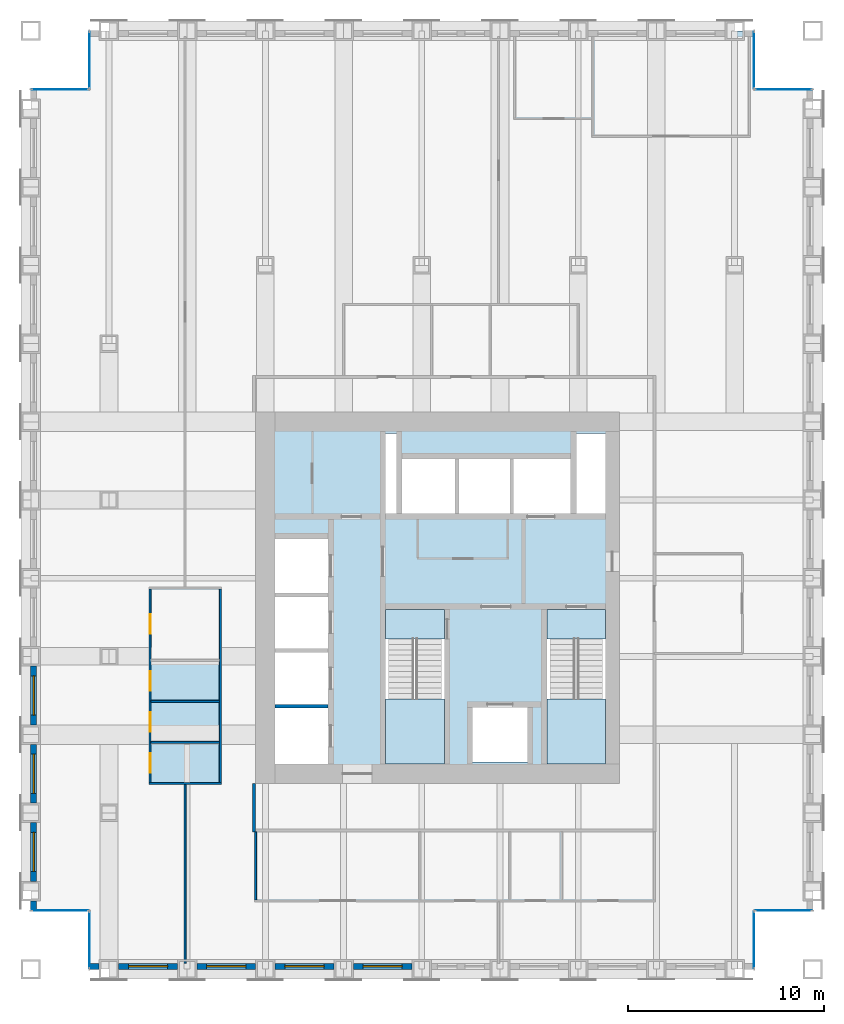
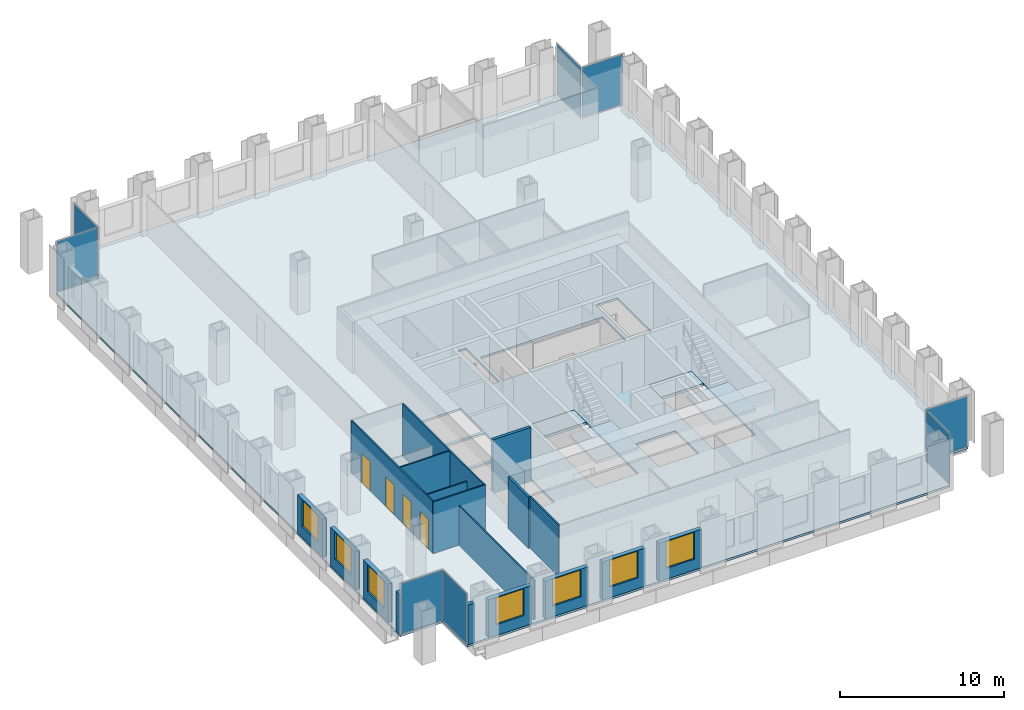
# One storey, part 8 of 13: 18 walls, 8 plates, 7 windows, 5 slabs, 4 doors, 11 openings, 10 elements without a shape of their own.
"""IFC4 building model written with IfcOpenShell, lengths in metres."""

from ifc_helpers import new_model, si_unit, direction, frame, frame_2d, origin, origin_2d, place, context, subcontext, project, spatial, polyline, rectangle, outline, extrude, material, layer, layer_set, type_object, element, fill, aggregate, save


model = new_model("IFC4")

# Units and contexts
model_context = context("Model", 3, precision=1e-05, world=origin(), true_north=direction((0.0, 1.0)))
body_context = subcontext(model_context, "Body", "Model", "MODEL_VIEW")
ifc_project = project(units=[si_unit("LENGTHUNIT", "METRE"), si_unit("AREAUNIT", "SQUARE_METRE"), si_unit("VOLUMEUNIT", "CUBIC_METRE"), si_unit("PLANEANGLEUNIT", "RADIAN"), si_unit("MASSUNIT", "GRAM", prefix="KILO")], contexts=[model_context])

# Site, building, storey
site_placement = place(None, origin())
site = spatial("IfcSite", under=ifc_project, at=site_placement, CompositionType="ELEMENT")
building_placement = place(site_placement, origin())
building = spatial("IfcBuilding", under=site, at=building_placement, Name="Rimbunsela Tower", CompositionType="ELEMENT")
storey_placement = place(building_placement, frame((0.0, 0.0, 191.800048828125)))
storey = spatial("IfcBuildingStorey", under=building, at=storey_placement, Name="L46", CompositionType="ELEMENT", Elevation=191.800048828125)

# Slab
ifc_material_1 = material(Name="Concrete fc' 35 MPa", Category="concrete")
ifc_layer_1 = layer(ifc_material_1, 0.14990234375)
ifc_layer_set_1 = layer_set([ifc_layer_1], Name="Floor slab 150")
slab_type_1 = type_object("IfcSlabType", Name="Floor slab 150", PredefinedType="FLOOR", material=ifc_layer_set_1)
slab_1_placement = place(storey_placement, frame((0.0, 0.0, -0.150146484375)))
element("IfcSlab", 1, at=slab_1_placement, inside=storey, type_object=slab_type_1, Name="Floor slab L46", PredefinedType="FLOOR", context=body_context, shape_type="SweptSolid", body=[
    extrude(outline(polyline([(9.0, 8.0), (43.0, 8.0), (43.0, 11.0), (46.0, 11.0), (46.0, 53.0), (43.0, 53.0), (43.0, 56.0), (9.0, 56.0), (9.0, 53.0), (6.0, 53.0), (6.0, 11.0), (9.0, 11.0), (9.0, 8.0)]), holes=[polyline([(21.199951171875, 21.35009765625), (18.5, 21.35009765625), (18.5, 18.5), (21.199951171875, 18.5), (21.199951171875, 21.35009765625)]), polyline([(21.199951171875, 21.550048828125), (21.199951171875, 24.199951171875), (18.5, 24.199951171875), (18.5, 21.550048828125), (21.199951171875, 21.550048828125)]), polyline([(21.199951171875, 27.050048828125), (18.5, 27.050048828125), (18.5, 24.39990234375), (21.199951171875, 24.39990234375), (21.199951171875, 27.050048828125)]), polyline([(21.199951171875, 27.25), (21.199951171875, 30.0), (18.5, 30.0), (18.5, 27.25), (21.199951171875, 27.25)]), polyline([(27.14990234375, 18.60009765625), (27.14990234375, 26.39990234375), (24.14990234375, 26.39990234375), (24.14990234375, 18.60009765625), (27.14990234375, 18.60009765625)]), polyline([(24.699951171875, 31.300048828125), (24.699951171875, 35.39990234375), (24.14990234375, 35.39990234375), (24.14990234375, 31.300048828125), (24.699951171875, 31.300048828125)]), polyline([(25.0, 34.10009765625), (25.0, 31.300048828125), (33.60009765625, 31.300048828125), (33.60009765625, 34.10009765625), (25.0, 34.10009765625)]), polyline([(31.39990234375, 21.39990234375), (28.60009765625, 21.39990234375), (28.60009765625, 18.60009765625), (31.39990234375, 18.60009765625), (31.39990234375, 21.39990234375)]), polyline([(35.39990234375, 18.60009765625), (35.39990234375, 26.39990234375), (32.39990234375, 26.39990234375), (32.39990234375, 18.60009765625), (35.39990234375, 18.60009765625)]), polyline([(35.39990234375, 31.300048828125), (35.39990234375, 35.39990234375), (33.89990234375, 35.39990234375), (33.89990234375, 31.300048828125), (35.39990234375, 31.300048828125)])]), origin(), (0.0, 0.0, 1.0), 0.150146484375),
])

# Curtain wall, plate
ifc_material_2 = material(Name="Aluminium curtain wall", Category="aluminium")
curtain_wall_type = type_object("IfcCurtainWallType", Name="Corner glazing", PredefinedType="USERDEFINED", material=ifc_material_2)
curtain_wall_1_placement = place(storey_placement, origin())
curtain_wall_1 = element("IfcCurtainWall", 2, at=curtain_wall_1_placement, inside=storey, type_object=curtain_wall_type, Name="Corner glazing L46", ObjectType="CORNER GLAZING", PredefinedType="USERDEFINED")
ifc_material_3 = material(Name="Clear double glazing", Category="glass")
ifc_layer_2 = layer(ifc_material_3, 0.028076171875)
ifc_layer_set_2 = layer_set([ifc_layer_2], Name="Glazed panel clear")
plate_type = type_object("IfcPlateType", Name="Glazed panel clear", PredefinedType="CURTAIN_PANEL", material=ifc_layer_set_2)
plate_1_placement = place(storey_placement, frame((43.0, 9.5, 0.06005859375), z_axis=(0.0, 0.0, 1.0), x_axis=(0.0, 1.0, 0.0)))
plate_1 = element("IfcPlate", 3, at=plate_1_placement, type_object=plate_type, Name="CW5 panel 1.1", PredefinedType="CURTAIN_PANEL", context=body_context, shape_type="SweptSolid", body=[
    extrude(rectangle(XDim=2.8798828125, YDim=0.028076171875, at=origin_2d()), origin(), (0.0, 0.0, 1.0), 3.72998046875),
])
aggregate(curtain_wall_1, [plate_1])

curtain_wall_2_placement = place(storey_placement, origin())
curtain_wall_2 = element("IfcCurtainWall", 4, at=curtain_wall_2_placement, inside=storey, type_object=curtain_wall_type, Name="Corner glazing L46", ObjectType="CORNER GLAZING", PredefinedType="USERDEFINED")
plate_2_placement = place(storey_placement, frame((44.5, 11.0, 0.06005859375), z_axis=(0.0, 0.0, 1.0), x_axis=(1.0, 0.0, 0.0)))
plate_2 = element("IfcPlate", 5, at=plate_2_placement, type_object=plate_type, Name="CW5 panel 1.1", PredefinedType="CURTAIN_PANEL", context=body_context, shape_type="SweptSolid", body=[
    extrude(rectangle(XDim=2.8798828125, YDim=0.028076171875, at=origin_2d()), origin(), (0.0, 0.0, 1.0), 3.72998046875),
])
aggregate(curtain_wall_2, [plate_2])

curtain_wall_3_placement = place(storey_placement, origin())
curtain_wall_3 = element("IfcCurtainWall", 6, at=curtain_wall_3_placement, inside=storey, type_object=curtain_wall_type, Name="Corner glazing L46", ObjectType="CORNER GLAZING", PredefinedType="USERDEFINED")
plate_3_placement = place(storey_placement, frame((44.5, 53.0, 0.06005859375), z_axis=(0.0, 0.0, 1.0), x_axis=(-1.0, 0.0, 0.0)))
plate_3 = element("IfcPlate", 7, at=plate_3_placement, type_object=plate_type, Name="CW5 panel 1.1", PredefinedType="CURTAIN_PANEL", context=body_context, shape_type="SweptSolid", body=[
    extrude(rectangle(XDim=2.8798828125, YDim=0.028076171875, at=origin_2d()), origin(), (0.0, 0.0, 1.0), 3.72998046875),
])
aggregate(curtain_wall_3, [plate_3])

curtain_wall_4_placement = place(storey_placement, origin())
curtain_wall_4 = element("IfcCurtainWall", 8, at=curtain_wall_4_placement, inside=storey, type_object=curtain_wall_type, Name="Corner glazing L46", ObjectType="CORNER GLAZING", PredefinedType="USERDEFINED")
plate_4_placement = place(storey_placement, frame((43.0, 54.5, 0.06005859375), z_axis=(0.0, 0.0, 1.0), x_axis=(0.0, 1.0, 0.0)))
plate_4 = element("IfcPlate", 9, at=plate_4_placement, type_object=plate_type, Name="CW5 panel 1.1", PredefinedType="CURTAIN_PANEL", context=body_context, shape_type="SweptSolid", body=[
    extrude(rectangle(XDim=2.8798828125, YDim=0.028076171875, at=origin_2d()), origin(), (0.0, 0.0, 1.0), 3.72998046875),
])
aggregate(curtain_wall_4, [plate_4])

curtain_wall_5_placement = place(storey_placement, origin())
curtain_wall_5 = element("IfcCurtainWall", 10, at=curtain_wall_5_placement, inside=storey, type_object=curtain_wall_type, Name="Corner glazing L46", ObjectType="CORNER GLAZING", PredefinedType="USERDEFINED")
plate_5_placement = place(storey_placement, frame((9.0, 54.5, 0.06005859375), z_axis=(0.0, 0.0, 1.0), x_axis=(0.0, -1.0, 0.0)))
plate_5 = element("IfcPlate", 11, at=plate_5_placement, type_object=plate_type, Name="CW5 panel 1.1", PredefinedType="CURTAIN_PANEL", context=body_context, shape_type="SweptSolid", body=[
    extrude(rectangle(XDim=2.8798828125, YDim=0.028076171875, at=origin_2d()), origin(), (0.0, 0.0, 1.0), 3.72998046875),
])
aggregate(curtain_wall_5, [plate_5])

curtain_wall_6_placement = place(storey_placement, origin())
curtain_wall_6 = element("IfcCurtainWall", 12, at=curtain_wall_6_placement, inside=storey, type_object=curtain_wall_type, Name="Corner glazing L46", ObjectType="CORNER GLAZING", PredefinedType="USERDEFINED")
plate_6_placement = place(storey_placement, frame((7.5, 53.0, 0.06005859375), z_axis=(0.0, 0.0, 1.0), x_axis=(-1.0, 0.0, 0.0)))
plate_6 = element("IfcPlate", 13, at=plate_6_placement, type_object=plate_type, Name="CW5 panel 1.1", PredefinedType="CURTAIN_PANEL", context=body_context, shape_type="SweptSolid", body=[
    extrude(rectangle(XDim=2.8798828125, YDim=0.028076171875, at=origin_2d()), origin(), (0.0, 0.0, 1.0), 3.72998046875),
])
aggregate(curtain_wall_6, [plate_6])

curtain_wall_7_placement = place(storey_placement, origin())
curtain_wall_7 = element("IfcCurtainWall", 14, at=curtain_wall_7_placement, inside=storey, type_object=curtain_wall_type, Name="Corner glazing L46", ObjectType="CORNER GLAZING", PredefinedType="USERDEFINED")
plate_7_placement = place(storey_placement, frame((7.5, 11.0, 0.06005859375), z_axis=(0.0, 0.0, 1.0), x_axis=(1.0, 0.0, 0.0)))
plate_7 = element("IfcPlate", 15, at=plate_7_placement, type_object=plate_type, Name="CW5 panel 1.1", PredefinedType="CURTAIN_PANEL", context=body_context, shape_type="SweptSolid", body=[
    extrude(rectangle(XDim=2.8798828125, YDim=0.028076171875, at=origin_2d()), origin(), (0.0, 0.0, 1.0), 3.72998046875),
])
aggregate(curtain_wall_7, [plate_7])

curtain_wall_8_placement = place(storey_placement, origin())
curtain_wall_8 = element("IfcCurtainWall", 16, at=curtain_wall_8_placement, inside=storey, type_object=curtain_wall_type, Name="Corner glazing L46", ObjectType="CORNER GLAZING", PredefinedType="USERDEFINED")
plate_8_placement = place(storey_placement, frame((9.0, 9.5, 0.06005859375), z_axis=(0.0, 0.0, 1.0), x_axis=(0.0, -1.0, 0.0)))
plate_8 = element("IfcPlate", 17, at=plate_8_placement, type_object=plate_type, Name="CW5 panel 1.1", PredefinedType="CURTAIN_PANEL", context=body_context, shape_type="SweptSolid", body=[
    extrude(rectangle(XDim=2.8798828125, YDim=0.028076171875, at=origin_2d()), origin(), (0.0, 0.0, 1.0), 3.72998046875),
])
aggregate(curtain_wall_8, [plate_8])

# Stair, slabs
ifc_material_4 = material(Name="Concrete fc' 35 MPa", Category="concrete")
stair_type = type_object("IfcStairType", Name="Exit stair 24 risers", PredefinedType="HALF_TURN_STAIR", material=ifc_material_4)
stair_1_placement = place(storey_placement, origin())
stair_1 = element("IfcStair", 18, at=stair_1_placement, inside=storey, type_object=stair_type, Name="Exit stair A L46", PredefinedType="HALF_TURN_STAIR")
ifc_material_5 = material(Name="Concrete fc' 35 MPa", Category="concrete")
ifc_layer_3 = layer(ifc_material_5, 0.199951171875)
ifc_layer_set_3 = layer_set([ifc_layer_3], Name="Stair landing 200")
slab_type_2 = type_object("IfcSlabType", Name="Stair landing 200", PredefinedType="LANDING", material=ifc_layer_set_3)
slab_2_placement = place(storey_placement, frame((0.0, 0.0, -0.199951171875)))
slab_2 = element("IfcSlab", 19, at=slab_2_placement, type_object=slab_type_2, Name="ST-A landing 1", PredefinedType="LANDING", context=body_context, shape_type="SweptSolid", body=[
    extrude(outline(polyline([(24.14990234375, 24.89990234375), (27.14990234375, 24.89990234375), (27.14990234375, 26.39990234375), (24.14990234375, 26.39990234375), (24.14990234375, 24.89990234375)])), origin(), (0.0, 0.0, 1.0), 0.199951171875),
])
slab_3_placement = place(storey_placement, frame((0.0, 0.0, 1.800048828125)))
slab_3 = element("IfcSlab", 20, at=slab_3_placement, type_object=slab_type_2, Name="ST-A landing 2", PredefinedType="LANDING", context=body_context, shape_type="SweptSolid", body=[
    extrude(outline(polyline([(24.14990234375, 18.5), (27.14990234375, 18.5), (27.14990234375, 21.820068359375), (24.14990234375, 21.820068359375), (24.14990234375, 18.5)])), origin(), (0.0, 0.0, 1.0), 0.199951171875),
])
aggregate(stair_1, [slab_2, slab_3])

stair_2_placement = place(storey_placement, origin())
stair_2 = element("IfcStair", 21, at=stair_2_placement, inside=storey, type_object=stair_type, Name="Exit stair B L46", PredefinedType="HALF_TURN_STAIR")
slab_4_placement = place(storey_placement, frame((0.0, 0.0, -0.199951171875)))
slab_4 = element("IfcSlab", 22, at=slab_4_placement, type_object=slab_type_2, Name="ST-B landing 1", PredefinedType="LANDING", context=body_context, shape_type="SweptSolid", body=[
    extrude(outline(polyline([(32.39990234375, 24.89990234375), (35.39990234375, 24.89990234375), (35.39990234375, 26.39990234375), (32.39990234375, 26.39990234375), (32.39990234375, 24.89990234375)])), origin(), (0.0, 0.0, 1.0), 0.199951171875),
])
slab_5_placement = place(storey_placement, frame((0.0, 0.0, 1.800048828125)))
slab_5 = element("IfcSlab", 23, at=slab_5_placement, type_object=slab_type_2, Name="ST-B landing 2", PredefinedType="LANDING", context=body_context, shape_type="SweptSolid", body=[
    extrude(outline(polyline([(32.39990234375, 18.5), (35.39990234375, 18.5), (35.39990234375, 21.820068359375), (32.39990234375, 21.820068359375), (32.39990234375, 18.5)])), origin(), (0.0, 0.0, 1.0), 0.199951171875),
])
aggregate(stair_2, [slab_4, slab_5])

# Walls
ifc_material_6 = material(Name="Concrete blockwork", Category="masonry")
ifc_layer_4 = layer(ifc_material_6, 0.199951171875)
ifc_layer_set_4 = layer_set([ifc_layer_4], Name="Lift shaft wall 200")
wall_type_1 = type_object("IfcWallType", Name="Lift shaft wall 200", PredefinedType="SOLIDWALL", material=ifc_layer_set_4)
wall_1_placement = place(storey_placement, frame((18.5, 21.449951171875, -0.150146484375), z_axis=(0.0, 0.0, 1.0), x_axis=(1.0, 0.0, 0.0)))
element("IfcWall", 24, at=wall_1_placement, inside=storey, type_object=wall_type_1, Name="Lift shaft separation", PredefinedType="SOLIDWALL", context=body_context, shape_type="SweptSolid", body=[
    extrude(rectangle(XDim=2.699951171875, YDim=0.199951171875, at=frame_2d((1.35009765625, 0.0))), origin(), (0.0, 0.0, 1.0), 4.0),
])
ifc_material_7 = material(Name="Gypsum board on steel studs", Category="steel")
ifc_layer_5 = layer(ifc_material_7, 0.10009765625)
ifc_layer_set_5 = layer_set([ifc_layer_5], Name="Office partition 100")
wall_type_2 = type_object("IfcWallType", Name="Office partition 100", PredefinedType="PARTITIONING", material=ifc_layer_set_5)
wall_2_placement = place(storey_placement, frame((12.050048828125, 17.5, 0.0), z_axis=(0.0, 0.0, 1.0), x_axis=(1.0, 0.0, 0.0)))
element("IfcWall", 25, at=wall_2_placement, inside=storey, type_object=wall_type_2, Name="Office partition", PredefinedType="PARTITIONING", context=body_context, shape_type="SweptSolid", body=[
    extrude(rectangle(XDim=3.699951171875, YDim=0.10009765625, at=frame_2d((1.85009765625, 0.0))), origin(), (0.0, 0.0, 1.0), 3.849853515625),
])
wall_3_placement = place(storey_placement, frame((12.14990234375, 19.60009765625, 0.0), z_axis=(0.0, 0.0, 1.0), x_axis=(1.0, 0.0, 0.0)))
element("IfcWall", 26, at=wall_3_placement, inside=storey, type_object=wall_type_2, Name="Office partition", PredefinedType="PARTITIONING", context=body_context, shape_type="SweptSolid", body=[
    extrude(rectangle(XDim=3.5, YDim=0.10009765625, at=frame_2d((1.75, 0.0))), origin(), (0.0, 0.0, 1.0), 2.849853515625),
])
wall_4_placement = place(storey_placement, frame((12.14990234375, 21.699951171875, 0.0), z_axis=(0.0, 0.0, 1.0), x_axis=(1.0, 0.0, 0.0)))
element("IfcWall", 27, at=wall_4_placement, inside=storey, type_object=wall_type_2, Name="Office partition", PredefinedType="PARTITIONING", context=body_context, shape_type="SweptSolid", body=[
    extrude(rectangle(XDim=3.5, YDim=0.10009765625, at=frame_2d((1.75, 0.0))), origin(), (0.0, 0.0, 1.0), 3.849853515625),
])

# Wall, openings, doors
wall_5_placement = place(storey_placement, frame((12.10009765625, 17.550048828125, 0.0), z_axis=(0.0, 0.0, 1.0), x_axis=(0.0, 1.0, 0.0)))
wall_5 = element("IfcWall", 28, at=wall_5_placement, inside=storey, type_object=wall_type_2, Name="Office partition", PredefinedType="PARTITIONING", context=body_context, shape_type="SweptSolid", body=[
    extrude(rectangle(XDim=9.89990234375, YDim=0.10009765625, at=frame_2d((4.949951171875, 0.0))), origin(), (0.0, 0.0, 1.0), 3.849853515625),
])
opening_1_placement = place(wall_5_placement, frame((0.5, 0.0, 0.0)))
opening_1 = element("IfcOpeningElement", 29, at=opening_1_placement, cuts=wall_5, Name="Opening D16", PredefinedType="OPENING", context=body_context, shape_type="SweptSolid", body=[
    extrude(rectangle(XDim=1.0, YDim=2.199951171875, at=frame_2d((0.5, 1.10009765625))), frame((0.0, 0.06005859375, 0.0), z_axis=(0.0, -1.0, 0.0), x_axis=(1.0, 0.0, 0.0)), (0.0, 0.0, 1.0), 0.1201171875),
])
opening_2_placement = place(wall_5_placement, frame((2.60009765625, 0.0, 0.0)))
opening_2 = element("IfcOpeningElement", 30, at=opening_2_placement, cuts=wall_5, Name="Opening D16", PredefinedType="OPENING", context=body_context, shape_type="SweptSolid", body=[
    extrude(rectangle(XDim=1.0, YDim=2.199951171875, at=frame_2d((0.5, 1.10009765625))), frame((0.0, 0.06005859375, 0.0), z_axis=(0.0, -1.0, 0.0), x_axis=(1.0, 0.0, 0.0)), (0.0, 0.0, 1.0), 0.1201171875),
])
opening_3_placement = place(wall_5_placement, frame((4.699951171875, 0.0, 0.0)))
opening_3 = element("IfcOpeningElement", 31, at=opening_3_placement, cuts=wall_5, Name="Opening D16", PredefinedType="OPENING", context=body_context, shape_type="SweptSolid", body=[
    extrude(rectangle(XDim=1.0, YDim=2.199951171875, at=frame_2d((0.5, 1.10009765625))), frame((0.0, 0.06005859375, 0.0), z_axis=(0.0, -1.0, 0.0), x_axis=(1.0, 0.0, 0.0)), (0.0, 0.0, 1.0), 0.1201171875),
])
opening_4_placement = place(wall_5_placement, frame((7.60009765625, 0.0, 0.0)))
opening_4 = element("IfcOpeningElement", 32, at=opening_4_placement, cuts=wall_5, Name="Opening D17", PredefinedType="OPENING", context=body_context, shape_type="SweptSolid", body=[
    extrude(rectangle(XDim=1.0, YDim=2.199951171875, at=frame_2d((0.5, 1.10009765625))), frame((0.0, 0.06005859375, 0.0), z_axis=(0.0, -1.0, 0.0), x_axis=(1.0, 0.0, 0.0)), (0.0, 0.0, 1.0), 0.1201171875),
])
ifc_material_8 = material(Name="Glazed aluminium door", Category="aluminium")
door_type_1 = type_object("IfcDoorType", Name="Meeting room door 1000 glazed", OperationType="SINGLE_SWING_RIGHT", PredefinedType="DOOR", material=ifc_material_8)
door_1_placement = place(opening_4_placement, origin())
door_1 = element("IfcDoor", 33, at=door_1_placement, inside=storey, type_object=door_type_1, Name="Meeting room door", OperationType="SINGLE_SWING_RIGHT", OverallHeight=2.199951171875, OverallWidth=1.0, PredefinedType="DOOR", context=body_context, shape_type="SweptSolid", body=[
    extrude(rectangle(XDim=1.0, YDim=2.199951171875, at=frame_2d((0.5, 1.10009765625))), frame((0.0, 0.02490234375, 0.0), z_axis=(0.0, -1.0, 0.0), x_axis=(1.0, 0.0, 0.0)), (0.0, 0.0, 1.0), 0.050048828125),
])
fill(opening_4, door_1)
ifc_material_9 = material(Name="Timber door", Category="wood")
door_type_2 = type_object("IfcDoorType", Name="Office door 1000", OperationType="SINGLE_SWING_LEFT", PredefinedType="DOOR", material=ifc_material_9)
door_2_placement = place(opening_1_placement, origin())
door_2 = element("IfcDoor", 34, at=door_2_placement, inside=storey, type_object=door_type_2, Name="Office door", OperationType="SINGLE_SWING_LEFT", OverallHeight=2.199951171875, OverallWidth=1.0, PredefinedType="DOOR", context=body_context, shape_type="SweptSolid", body=[
    extrude(rectangle(XDim=1.0, YDim=2.199951171875, at=frame_2d((0.5, 1.10009765625))), frame((0.0, 0.02490234375, 0.0), z_axis=(0.0, -1.0, 0.0), x_axis=(1.0, 0.0, 0.0)), (0.0, 0.0, 1.0), 0.050048828125),
])
fill(opening_1, door_2)
door_3_placement = place(opening_2_placement, origin())
door_3 = element("IfcDoor", 35, at=door_3_placement, inside=storey, type_object=door_type_2, Name="Office door", OperationType="SINGLE_SWING_LEFT", OverallHeight=2.199951171875, OverallWidth=1.0, PredefinedType="DOOR", context=body_context, shape_type="SweptSolid", body=[
    extrude(rectangle(XDim=1.0, YDim=2.199951171875, at=frame_2d((0.5, 1.10009765625))), frame((0.0, 0.02490234375, 0.0), z_axis=(0.0, -1.0, 0.0), x_axis=(1.0, 0.0, 0.0)), (0.0, 0.0, 1.0), 0.050048828125),
])
fill(opening_2, door_3)
door_4_placement = place(opening_3_placement, origin())
door_4 = element("IfcDoor", 36, at=door_4_placement, inside=storey, type_object=door_type_2, Name="Office door", OperationType="SINGLE_SWING_LEFT", OverallHeight=2.199951171875, OverallWidth=1.0, PredefinedType="DOOR", context=body_context, shape_type="SweptSolid", body=[
    extrude(rectangle(XDim=1.0, YDim=2.199951171875, at=frame_2d((0.5, 1.10009765625))), frame((0.0, 0.02490234375, 0.0), z_axis=(0.0, -1.0, 0.0), x_axis=(1.0, 0.0, 0.0)), (0.0, 0.0, 1.0), 0.050048828125),
])
fill(opening_3, door_4)

# Walls
wall_6_placement = place(storey_placement, frame((15.699951171875, 17.550048828125, 0.0), z_axis=(0.0, 0.0, 1.0), x_axis=(0.0, 1.0, 0.0)))
element("IfcWall", 37, at=wall_6_placement, inside=storey, type_object=wall_type_2, Name="Office partition", PredefinedType="PARTITIONING", context=body_context, shape_type="SweptSolid", body=[
    extrude(rectangle(XDim=9.89990234375, YDim=0.10009765625, at=frame_2d((4.949951171875, 0.0))), origin(), (0.0, 0.0, 1.0), 3.849853515625),
])
wall_7_placement = place(storey_placement, frame((17.5, 11.550048828125, 0.0), z_axis=(0.0, 0.0, 1.0), x_axis=(0.0, 1.0, 0.0)))
element("IfcWall", 38, at=wall_7_placement, inside=storey, type_object=wall_type_2, Name="Office partition", PredefinedType="PARTITIONING", context=body_context, shape_type="SweptSolid", body=[
    extrude(rectangle(XDim=3.474853515625, YDim=0.10009765625, at=frame_2d((1.7373046875, 0.0))), origin(), (0.0, 0.0, 1.0), 3.849853515625),
])
wall_8_placement = place(storey_placement, frame((13.89990234375, 8.300048828125, 0.0), z_axis=(0.0, 0.0, 1.0), x_axis=(0.0, 1.0, 0.0)))
element("IfcWall", 39, at=wall_8_placement, inside=storey, type_object=wall_type_2, Name="Office partition", PredefinedType="PARTITIONING", context=body_context, shape_type="SweptSolid", body=[
    extrude(rectangle(XDim=9.14990234375, YDim=0.10009765625, at=frame_2d((4.574951171875, 0.0))), origin(), (0.0, 0.0, 1.0), 2.949951171875),
])
ifc_material_10 = material(Name="Precast concrete fc' 35 MPa", Category="concrete")
ifc_layer_6 = layer(ifc_material_10, 0.300048828125)
ifc_layer_set_6 = layer_set([ifc_layer_6], Name="Precast concrete fc' 35 MPa")
wall_type_3 = type_object("IfcWallType", Name="Precast facade panel 300", PredefinedType="ELEMENTEDWALL", material=ifc_layer_set_6)
wall_9_placement = place(storey_placement, frame((9.030029296875, 8.14990234375, 0.0), z_axis=(0.0, 0.0, 1.0), x_axis=(1.0, 0.0, 0.0)))
element("IfcWall", 40, at=wall_9_placement, inside=storey, type_object=wall_type_3, Name="Facade panel S L46", PredefinedType="ELEMENTEDWALL", context=body_context, shape_type="SweptSolid", body=[
    extrude(rectangle(XDim=0.469970703125, YDim=0.300048828125, at=frame_2d((0.23486328125, 0.0))), origin(), (0.0, 0.0, 1.0), 2.949951171875),
])

# Wall, opening, window
wall_10_placement = place(storey_placement, frame((10.5, 8.14990234375, 0.0), z_axis=(0.0, 0.0, 1.0), x_axis=(1.0, 0.0, 0.0)))
wall_10 = element("IfcWall", 41, at=wall_10_placement, inside=storey, type_object=wall_type_3, Name="Facade panel S L46", PredefinedType="ELEMENTEDWALL", context=body_context, shape_type="SweptSolid", body=[
    extrude(rectangle(XDim=3.0, YDim=0.300048828125, at=frame_2d((1.5, 0.0))), origin(), (0.0, 0.0, 1.0), 2.849853515625),
])
opening_5_placement = place(wall_10_placement, frame((0.5, 0.0, 0.800048828125)))
opening_5 = element("IfcOpeningElement", 42, at=opening_5_placement, cuts=wall_10, Name="Opening W1", PredefinedType="OPENING", context=body_context, shape_type="SweptSolid", body=[
    extrude(rectangle(XDim=2.0, YDim=2.0, at=frame_2d((1.0, 1.0))), frame((0.0, 0.159912109375, 0.0), z_axis=(0.0, -1.0, 0.0), x_axis=(1.0, 0.0, 0.0)), (0.0, 0.0, 1.0), 0.320068359375),
])
ifc_material_11 = material(Name="Clear glass in aluminium frame", Category="aluminium")
window_type = type_object("IfcWindowType", Name="Window W1 2000x2000", PartitioningType="DOUBLE_PANEL_VERTICAL", PredefinedType="WINDOW", material=ifc_material_11)
window_1_placement = place(opening_5_placement, origin())
window_1 = element("IfcWindow", 43, at=window_1_placement, inside=storey, type_object=window_type, Name="Window L46", OverallHeight=2.0, OverallWidth=2.0, PartitioningType="SINGLE_PANEL", PredefinedType="WINDOW", context=body_context, shape_type="SweptSolid", body=[
    extrude(rectangle(XDim=2.0, YDim=2.0, at=frame_2d((1.0, 1.0))), frame((0.0, 0.030029296875, 0.0), z_axis=(0.0, -1.0, 0.0), x_axis=(1.0, 0.0, 0.0)), (0.0, 0.0, 1.0), 0.06005859375),
])
fill(opening_5, window_1)

wall_11_placement = place(storey_placement, frame((14.5, 8.14990234375, 0.0), z_axis=(0.0, 0.0, 1.0), x_axis=(1.0, 0.0, 0.0)))
wall_11 = element("IfcWall", 44, at=wall_11_placement, inside=storey, type_object=wall_type_3, Name="Facade panel S L46", PredefinedType="ELEMENTEDWALL", context=body_context, shape_type="SweptSolid", body=[
    extrude(rectangle(XDim=3.0, YDim=0.300048828125, at=frame_2d((1.5, 0.0))), origin(), (0.0, 0.0, 1.0), 2.849853515625),
])
opening_6_placement = place(wall_11_placement, frame((0.5, 0.0, 0.800048828125)))
opening_6 = element("IfcOpeningElement", 45, at=opening_6_placement, cuts=wall_11, Name="Opening W1", PredefinedType="OPENING", context=body_context, shape_type="SweptSolid", body=[
    extrude(rectangle(XDim=2.0, YDim=2.0, at=frame_2d((1.0, 1.0))), frame((0.0, 0.159912109375, 0.0), z_axis=(0.0, -1.0, 0.0), x_axis=(1.0, 0.0, 0.0)), (0.0, 0.0, 1.0), 0.320068359375),
])
window_2_placement = place(opening_6_placement, origin())
window_2 = element("IfcWindow", 46, at=window_2_placement, inside=storey, type_object=window_type, Name="Window L46", OverallHeight=2.0, OverallWidth=2.0, PartitioningType="SINGLE_PANEL", PredefinedType="WINDOW", context=body_context, shape_type="SweptSolid", body=[
    extrude(rectangle(XDim=2.0, YDim=2.0, at=frame_2d((1.0, 1.0))), frame((0.0, 0.030029296875, 0.0), z_axis=(0.0, -1.0, 0.0), x_axis=(1.0, 0.0, 0.0)), (0.0, 0.0, 1.0), 0.06005859375),
])
fill(opening_6, window_2)

wall_12_placement = place(storey_placement, frame((18.5, 8.14990234375, 0.0), z_axis=(0.0, 0.0, 1.0), x_axis=(1.0, 0.0, 0.0)))
wall_12 = element("IfcWall", 47, at=wall_12_placement, inside=storey, type_object=wall_type_3, Name="Facade panel S L46", PredefinedType="ELEMENTEDWALL", context=body_context, shape_type="SweptSolid", body=[
    extrude(rectangle(XDim=3.0, YDim=0.300048828125, at=frame_2d((1.5, 0.0))), origin(), (0.0, 0.0, 1.0), 2.849853515625),
])
opening_7_placement = place(wall_12_placement, frame((0.5, 0.0, 0.800048828125)))
opening_7 = element("IfcOpeningElement", 48, at=opening_7_placement, cuts=wall_12, Name="Opening W1", PredefinedType="OPENING", context=body_context, shape_type="SweptSolid", body=[
    extrude(rectangle(XDim=2.0, YDim=2.0, at=frame_2d((1.0, 1.0))), frame((0.0, 0.159912109375, 0.0), z_axis=(0.0, -1.0, 0.0), x_axis=(1.0, 0.0, 0.0)), (0.0, 0.0, 1.0), 0.320068359375),
])
window_3_placement = place(opening_7_placement, origin())
window_3 = element("IfcWindow", 49, at=window_3_placement, inside=storey, type_object=window_type, Name="Window L46", OverallHeight=2.0, OverallWidth=2.0, PartitioningType="SINGLE_PANEL", PredefinedType="WINDOW", context=body_context, shape_type="SweptSolid", body=[
    extrude(rectangle(XDim=2.0, YDim=2.0, at=frame_2d((1.0, 1.0))), frame((0.0, 0.030029296875, 0.0), z_axis=(0.0, -1.0, 0.0), x_axis=(1.0, 0.0, 0.0)), (0.0, 0.0, 1.0), 0.06005859375),
])
fill(opening_7, window_3)

wall_13_placement = place(storey_placement, frame((22.5, 8.14990234375, 0.0), z_axis=(0.0, 0.0, 1.0), x_axis=(1.0, 0.0, 0.0)))
wall_13 = element("IfcWall", 50, at=wall_13_placement, inside=storey, type_object=wall_type_3, Name="Facade panel S L46", PredefinedType="ELEMENTEDWALL", context=body_context, shape_type="SweptSolid", body=[
    extrude(rectangle(XDim=3.0, YDim=0.300048828125, at=frame_2d((1.5, 0.0))), origin(), (0.0, 0.0, 1.0), 2.849853515625),
])
opening_8_placement = place(wall_13_placement, frame((0.5, 0.0, 0.800048828125)))
opening_8 = element("IfcOpeningElement", 51, at=opening_8_placement, cuts=wall_13, Name="Opening W1", PredefinedType="OPENING", context=body_context, shape_type="SweptSolid", body=[
    extrude(rectangle(XDim=2.0, YDim=2.0, at=frame_2d((1.0, 1.0))), frame((0.0, 0.159912109375, 0.0), z_axis=(0.0, -1.0, 0.0), x_axis=(1.0, 0.0, 0.0)), (0.0, 0.0, 1.0), 0.320068359375),
])
window_4_placement = place(opening_8_placement, origin())
window_4 = element("IfcWindow", 52, at=window_4_placement, inside=storey, type_object=window_type, Name="Window L46", OverallHeight=2.0, OverallWidth=2.0, PartitioningType="SINGLE_PANEL", PredefinedType="WINDOW", context=body_context, shape_type="SweptSolid", body=[
    extrude(rectangle(XDim=2.0, YDim=2.0, at=frame_2d((1.0, 1.0))), frame((0.0, 0.030029296875, 0.0), z_axis=(0.0, -1.0, 0.0), x_axis=(1.0, 0.0, 0.0)), (0.0, 0.0, 1.0), 0.06005859375),
])
fill(opening_8, window_4)

# Wall
wall_14_placement = place(storey_placement, frame((6.14990234375, 11.5, 0.0), z_axis=(0.0, 0.0, 1.0), x_axis=(0.0, -1.0, 0.0)))
element("IfcWall", 53, at=wall_14_placement, inside=storey, type_object=wall_type_3, Name="Facade panel W L46", PredefinedType="ELEMENTEDWALL", context=body_context, shape_type="SweptSolid", body=[
    extrude(rectangle(XDim=0.469970703125, YDim=0.300048828125, at=frame_2d((0.23486328125, 0.0))), origin(), (0.0, 0.0, 1.0), 2.949951171875),
])

# Wall, opening, window
wall_15_placement = place(storey_placement, frame((6.14990234375, 15.5, 0.0), z_axis=(0.0, 0.0, 1.0), x_axis=(0.0, -1.0, 0.0)))
wall_15 = element("IfcWall", 54, at=wall_15_placement, inside=storey, type_object=wall_type_3, Name="Facade panel W L46", PredefinedType="ELEMENTEDWALL", context=body_context, shape_type="SweptSolid", body=[
    extrude(rectangle(XDim=3.0, YDim=0.300048828125, at=frame_2d((1.5, 0.0))), origin(), (0.0, 0.0, 1.0), 2.849853515625),
])
opening_9_placement = place(wall_15_placement, frame((0.5, 0.0, 0.800048828125)))
opening_9 = element("IfcOpeningElement", 55, at=opening_9_placement, cuts=wall_15, Name="Opening W1", PredefinedType="OPENING", context=body_context, shape_type="SweptSolid", body=[
    extrude(rectangle(XDim=2.0, YDim=2.0, at=frame_2d((1.0, 1.0))), frame((0.0, 0.159912109375, 0.0), z_axis=(0.0, -1.0, 0.0), x_axis=(1.0, 0.0, 0.0)), (0.0, 0.0, 1.0), 0.320068359375),
])
window_5_placement = place(opening_9_placement, origin())
window_5 = element("IfcWindow", 56, at=window_5_placement, inside=storey, type_object=window_type, Name="Window L46", OverallHeight=2.0, OverallWidth=2.0, PartitioningType="SINGLE_PANEL", PredefinedType="WINDOW", context=body_context, shape_type="SweptSolid", body=[
    extrude(rectangle(XDim=2.0, YDim=2.0, at=frame_2d((1.0, 1.0))), frame((0.0, 0.030029296875, 0.0), z_axis=(0.0, -1.0, 0.0), x_axis=(1.0, 0.0, 0.0)), (0.0, 0.0, 1.0), 0.06005859375),
])
fill(opening_9, window_5)

wall_16_placement = place(storey_placement, frame((6.14990234375, 19.5, 0.0), z_axis=(0.0, 0.0, 1.0), x_axis=(0.0, -1.0, 0.0)))
wall_16 = element("IfcWall", 57, at=wall_16_placement, inside=storey, type_object=wall_type_3, Name="Facade panel W L46", PredefinedType="ELEMENTEDWALL", context=body_context, shape_type="SweptSolid", body=[
    extrude(rectangle(XDim=3.0, YDim=0.300048828125, at=frame_2d((1.5, 0.0))), origin(), (0.0, 0.0, 1.0), 2.849853515625),
])
opening_10_placement = place(wall_16_placement, frame((0.5, 0.0, 0.800048828125)))
opening_10 = element("IfcOpeningElement", 58, at=opening_10_placement, cuts=wall_16, Name="Opening W1", PredefinedType="OPENING", context=body_context, shape_type="SweptSolid", body=[
    extrude(rectangle(XDim=2.0, YDim=2.0, at=frame_2d((1.0, 1.0))), frame((0.0, 0.159912109375, 0.0), z_axis=(0.0, -1.0, 0.0), x_axis=(1.0, 0.0, 0.0)), (0.0, 0.0, 1.0), 0.320068359375),
])
window_6_placement = place(opening_10_placement, origin())
window_6 = element("IfcWindow", 59, at=window_6_placement, inside=storey, type_object=window_type, Name="Window L46", OverallHeight=2.0, OverallWidth=2.0, PartitioningType="SINGLE_PANEL", PredefinedType="WINDOW", context=body_context, shape_type="SweptSolid", body=[
    extrude(rectangle(XDim=2.0, YDim=2.0, at=frame_2d((1.0, 1.0))), frame((0.0, 0.030029296875, 0.0), z_axis=(0.0, -1.0, 0.0), x_axis=(1.0, 0.0, 0.0)), (0.0, 0.0, 1.0), 0.06005859375),
])
fill(opening_10, window_6)

wall_17_placement = place(storey_placement, frame((6.14990234375, 23.5, 0.0), z_axis=(0.0, 0.0, 1.0), x_axis=(0.0, -1.0, 0.0)))
wall_17 = element("IfcWall", 60, at=wall_17_placement, inside=storey, type_object=wall_type_3, Name="Facade panel W L46", PredefinedType="ELEMENTEDWALL", context=body_context, shape_type="SweptSolid", body=[
    extrude(rectangle(XDim=3.0, YDim=0.300048828125, at=frame_2d((1.5, 0.0))), origin(), (0.0, 0.0, 1.0), 2.849853515625),
])
opening_11_placement = place(wall_17_placement, frame((0.5, 0.0, 0.800048828125)))
opening_11 = element("IfcOpeningElement", 61, at=opening_11_placement, cuts=wall_17, Name="Opening W1", PredefinedType="OPENING", context=body_context, shape_type="SweptSolid", body=[
    extrude(rectangle(XDim=2.0, YDim=2.0, at=frame_2d((1.0, 1.0))), frame((0.0, 0.159912109375, 0.0), z_axis=(0.0, -1.0, 0.0), x_axis=(1.0, 0.0, 0.0)), (0.0, 0.0, 1.0), 0.320068359375),
])
window_7_placement = place(opening_11_placement, origin())
window_7 = element("IfcWindow", 62, at=window_7_placement, inside=storey, type_object=window_type, Name="Window L46", OverallHeight=2.0, OverallWidth=2.0, PartitioningType="SINGLE_PANEL", PredefinedType="WINDOW", context=body_context, shape_type="SweptSolid", body=[
    extrude(rectangle(XDim=2.0, YDim=2.0, at=frame_2d((1.0, 1.0))), frame((0.0, 0.030029296875, 0.0), z_axis=(0.0, -1.0, 0.0), x_axis=(1.0, 0.0, 0.0)), (0.0, 0.0, 1.0), 0.06005859375),
])
fill(opening_11, window_7)

# Wall
ifc_material_12 = material(Name="Fire-rated gypsum board on steel studs, EI 60", Category="steel")
ifc_layer_7 = layer(ifc_material_12, 0.14990234375)
ifc_layer_set_7 = layer_set([ifc_layer_7], Name="Rated corridor wall 150")
wall_type_4 = type_object("IfcWallType", Name="Rated corridor wall 150", PredefinedType="PARTITIONING", material=ifc_layer_set_7)
wall_18_placement = place(storey_placement, frame((17.425048828125, 15.02490234375, 0.0), z_axis=(0.0, 0.0, 1.0), x_axis=(0.0, 1.0, 0.0)))
element("IfcWall", 63, at=wall_18_placement, inside=storey, type_object=wall_type_4, Name="Corridor end wall south", PredefinedType="PARTITIONING", context=body_context, shape_type="SweptSolid", body=[
    extrude(rectangle(XDim=2.47509765625, YDim=0.14990234375, at=frame_2d((1.237548828125, 0.0))), origin(), (0.0, 0.0, 1.0), 3.849853515625),
])

save(model, "model.ifc")
